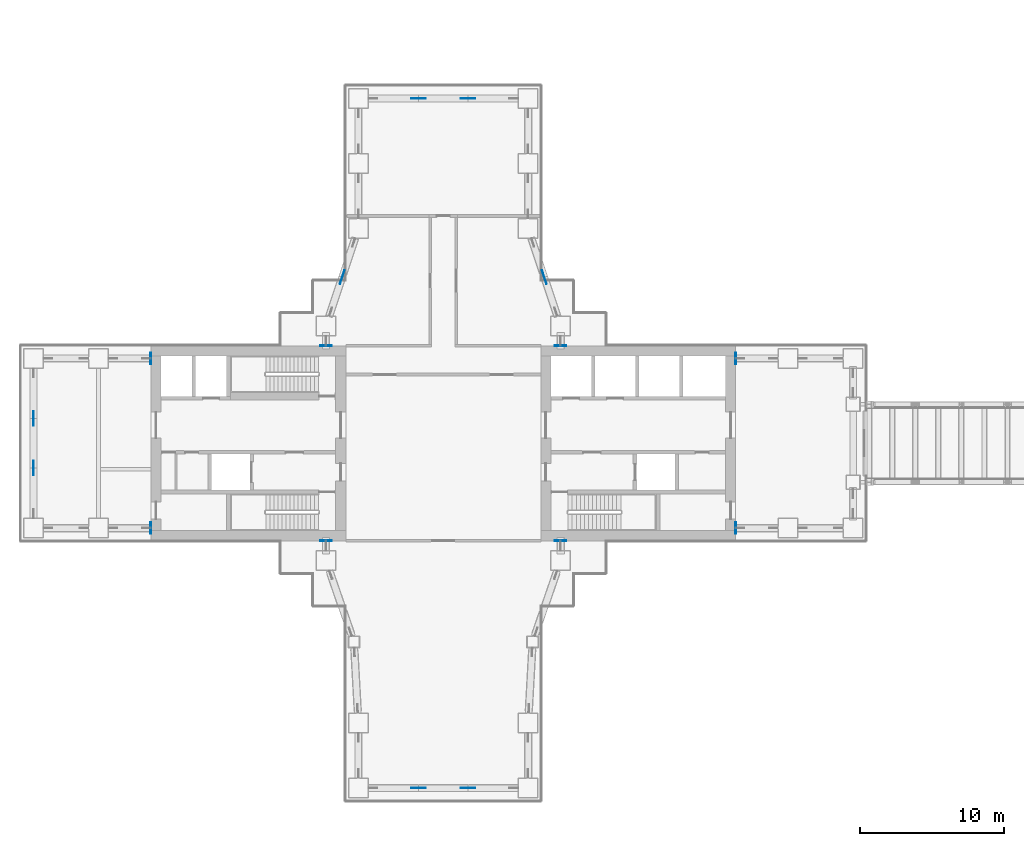
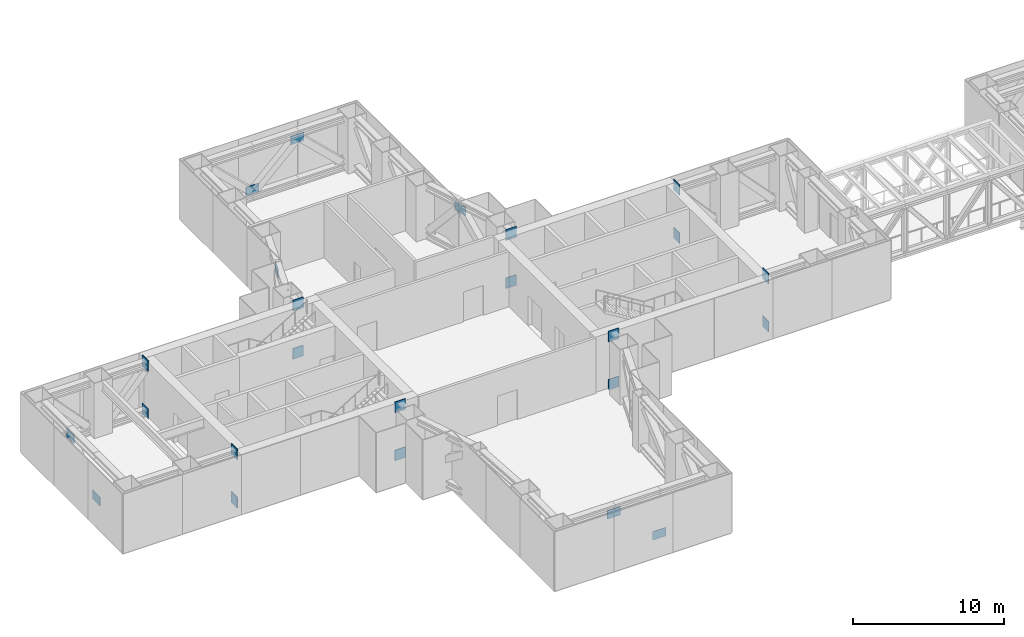
# One storey, part 16 of 23: 24 discrete accessories.
"""IFC4 building model written with IfcOpenShell, lengths in metres."""

from ifc_helpers import new_model, si_unit, direction, frame, origin, origin_2d, place, context, subcontext, project, spatial, rectangle, extrude, material, layer, layer_set, type_object, element, save


model = new_model("IFC4")

# Units and contexts
model_context = context("Model", 3, precision=1e-05, world=origin(), true_north=direction((0.0, 1.0)))
body_context = subcontext(model_context, "Body", "Model", "MODEL_VIEW")
ifc_project = project(units=[si_unit("LENGTHUNIT", "METRE"), si_unit("AREAUNIT", "SQUARE_METRE"), si_unit("VOLUMEUNIT", "CUBIC_METRE"), si_unit("PLANEANGLEUNIT", "RADIAN"), si_unit("MASSUNIT", "GRAM", prefix="KILO")], contexts=[model_context])

# Site, building, storey
site_placement = place(None, origin())
site = spatial("IfcSite", under=ifc_project, at=site_placement, CompositionType="ELEMENT")
building_placement = place(site_placement, origin())
building = spatial("IfcBuilding", under=site, at=building_placement, Name="Shamsa Quay Exchange Towers", CompositionType="ELEMENT")
storey_placement = place(building_placement, frame((0.0, 0.0, 77.10009765625)))
storey = spatial("IfcBuildingStorey", under=building, at=storey_placement, Name="L17", CompositionType="ELEMENT", Elevation=77.10009765625)

# Discrete accessories
ifc_material = material(Name="Steel S355", Category="steel")
ifc_layer_1 = layer(ifc_material, 0.050048828125)
ifc_layer_set_1 = layer_set([ifc_layer_1], Name="Cast-in plate 50x800x869")
discrete_accessory_type_1 = type_object("IfcDiscreteAccessoryType", Name="Cast-in plate 50x800x869", PredefinedType="ANCHORPLATE", material=ifc_layer_set_1)
for number, where, name in (
    (1, (-54.0, -5.875, 3.73046875), "Cast-in plate T1 L17"),
    (2, (-54.0, -5.875, -0.14990234375), "Cast-in plate T1 L17"),
):
    element("IfcDiscreteAccessory", number, at=place(storey_placement, frame(where)), inside=storey, type_object=discrete_accessory_type_1, Name=name, PredefinedType="ANCHORPLATE", context=body_context, shape_type="SweptSolid", body=[
        extrude(rectangle(XDim=0.050048828125, YDim=0.800048828125, at=origin_2d()), origin(), (0.0, 0.0, 1.0), 0.869384765625),
    ])
for number, where, z_axis, x_axis, name in (
    (3, (-41.875, -6.75, 3.73046875), (0.0, 0.0, 1.0), (0.0, 1.0, 0.0), "Cast-in plate T1 L17"),
    (4, (-41.875, -6.75, -0.14990234375), (0.0, 0.0, 1.0), (0.0, 1.0, 0.0), "Cast-in plate T1 L17"),
    (5, (-25.625, -6.75, 3.73046875), (0.0, 0.0, 1.0), (0.0, 1.0, 0.0), "Cast-in plate T1 L17"),
    (6, (-25.625, -6.75, -0.14990234375), (0.0, 0.0, 1.0), (0.0, 1.0, 0.0), "Cast-in plate T1 L17"),
    (7, (-13.5, -5.875, 3.73046875), (0.0, 0.0, 1.0), (-1.0, 0.0, 0.0), "Cast-in plate T1 L17"),
    (8, (-13.5, -5.875, -0.14990234375), (0.0, 0.0, 1.0), (-1.0, 0.0, 0.0), "Cast-in plate T1 L17"),
    (9, (-13.5, 5.875, 3.73046875), (0.0, 0.0, 1.0), (-1.0, 0.0, 0.0), "Cast-in plate T1 L17"),
    (10, (-13.5, 5.875, -0.14990234375), (0.0, 0.0, 1.0), (-1.0, 0.0, 0.0), "Cast-in plate T1 L17"),
    (11, (-25.625, 6.75, 3.73046875), (0.0, 0.0, 1.0), (0.0, -1.0, 0.0), "Cast-in plate T1 L17"),
    (12, (-25.625, 6.75, -0.14990234375), (0.0, 0.0, 1.0), (0.0, -1.0, 0.0), "Cast-in plate T1 L17"),
    (13, (-41.875, 6.75, 3.73046875), (0.0, 0.0, 1.0), (0.0, -1.0, 0.0), "Cast-in plate T1 L17"),
    (14, (-41.875, 6.75, -0.14990234375), (0.0, 0.0, 1.0), (0.0, -1.0, 0.0), "Cast-in plate T1 L17"),
):
    element("IfcDiscreteAccessory", number, at=place(storey_placement, frame(where, z_axis=z_axis, x_axis=x_axis)), inside=storey, type_object=discrete_accessory_type_1, Name=name, PredefinedType="ANCHORPLATE", context=body_context, shape_type="SweptSolid", body=[
        extrude(rectangle(XDim=0.050048828125, YDim=0.800048828125, at=origin_2d()), origin(), (0.0, 0.0, 1.0), 0.869384765625),
    ])
for number, where, name in (
    (15, (-54.0, 5.875, 3.73046875), "Cast-in plate T1 L17"),
    (16, (-54.0, 5.875, -0.14990234375), "Cast-in plate T1 L17"),
):
    element("IfcDiscreteAccessory", number, at=place(storey_placement, frame(where)), inside=storey, type_object=discrete_accessory_type_1, Name=name, PredefinedType="ANCHORPLATE", context=body_context, shape_type="SweptSolid", body=[
        extrude(rectangle(XDim=0.050048828125, YDim=0.800048828125, at=origin_2d()), origin(), (0.0, 0.0, 1.0), 0.869384765625),
    ])
ifc_layer_2 = layer(ifc_material, 0.0400390625)
ifc_layer_set_2 = layer_set([ifc_layer_2], Name="Gusset plate 1000x700x40")
discrete_accessory_type_2 = type_object("IfcDiscreteAccessoryType", Name="Gusset plate 1000x700x40", PredefinedType="BRACKET", material=ifc_layer_set_2)
for number, where, name in (
    (17, (-35.47509765625, -23.875, 3.33056640625), "Gusset plate T1 L17"),
    (18, (-32.02490234375, -23.875, 0.41943359375), "Gusset plate T1 L17"),
):
    element("IfcDiscreteAccessory", number, at=place(storey_placement, frame(where)), inside=storey, type_object=discrete_accessory_type_2, Name=name, PredefinedType="BRACKET", context=body_context, shape_type="SweptSolid", body=[
        extrude(rectangle(XDim=1.0, YDim=0.0400390625, at=origin_2d()), origin(), (0.0, 0.0, 1.0), 0.699951171875),
    ])
for number, where, z_axis, x_axis, name in (
    (19, (-26.75, 11.5, 3.33056640625), (0.0, 0.0, 1.0), (-0.316227766018, 0.94868329805, 0.0), "Gusset plate T1 L17"),
    (20, (-32.02490234375, 23.875, 3.33056640625), (0.0, 0.0, 1.0), (-1.0, 0.0, 0.0), "Gusset plate T1 L17"),
    (21, (-35.47509765625, 23.875, 0.41943359375), (0.0, 0.0, 1.0), (-1.0, 0.0, 0.0), "Gusset plate T1 L17"),
    (22, (-40.75, 11.5, 3.33056640625), (0.0, 0.0, 1.0), (-0.316227766018, -0.94868329805, 0.0), "Gusset plate T1 L17"),
    (23, (-62.125, 1.72509765625, 3.33056640625), (0.0, 0.0, 1.0), (0.0, -1.0, 0.0), "Gusset plate T1 L17"),
    (24, (-62.125, -1.72509765625, 0.41943359375), (0.0, 0.0, 1.0), (0.0, -1.0, 0.0), "Gusset plate T1 L17"),
):
    element("IfcDiscreteAccessory", number, at=place(storey_placement, frame(where, z_axis=z_axis, x_axis=x_axis)), inside=storey, type_object=discrete_accessory_type_2, Name=name, PredefinedType="BRACKET", context=body_context, shape_type="SweptSolid", body=[
        extrude(rectangle(XDim=1.0, YDim=0.0400390625, at=origin_2d()), origin(), (0.0, 0.0, 1.0), 0.699951171875),
    ])

save(model, "model.ifc")
